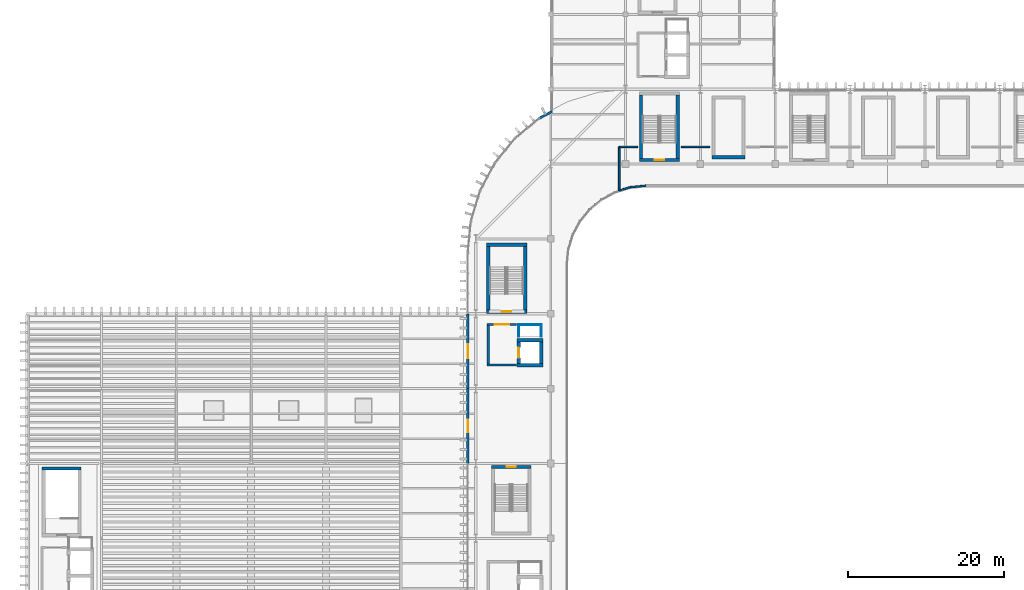
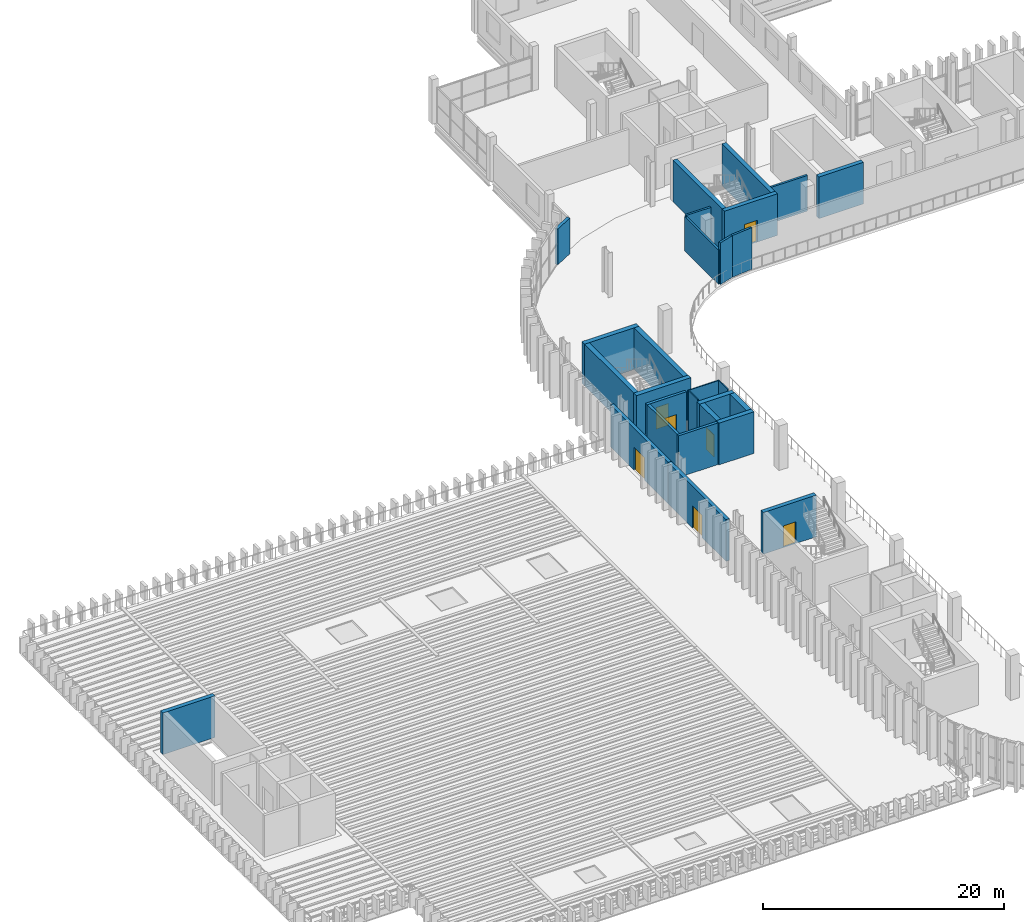
# One storey, part 58 of 92: 28 walls, 7 doors, 7 openings.
"""IFC4 building model written with IfcOpenShell, lengths in metres."""

from ifc_helpers import new_model, si_unit, direction, frame, frame_2d, origin, place, context, subcontext, project, spatial, rectangle, extrude, material, layer, layer_set, type_object, element, fill, save


model = new_model("IFC4")

# Units and contexts
model_context = context("Model", 3, precision=1e-05, world=origin(), true_north=direction((0.0, 1.0)))
body_context = subcontext(model_context, "Body", "Model", "MODEL_VIEW")
ifc_project = project(units=[si_unit("LENGTHUNIT", "METRE"), si_unit("AREAUNIT", "SQUARE_METRE"), si_unit("VOLUMEUNIT", "CUBIC_METRE"), si_unit("PLANEANGLEUNIT", "RADIAN"), si_unit("MASSUNIT", "GRAM", prefix="KILO")], contexts=[model_context])

# Site, building, storey
site_placement = place(None, origin())
site = spatial("IfcSite", under=ifc_project, at=site_placement, CompositionType="ELEMENT")
building_placement = place(site_placement, origin())
building = spatial("IfcBuilding", under=site, at=building_placement, Name="Caelomonte Colonnade Arena", CompositionType="ELEMENT")
storey_placement = place(building_placement, frame((0.0, 0.0, 9.60009765625)))
storey = spatial("IfcBuildingStorey", under=building, at=storey_placement, Name="L02", CompositionType="ELEMENT", Elevation=9.60009765625)

# Wall
ifc_material_1 = material(Name="Precast concrete C40/50", Category="concrete")
ifc_layer_1 = layer(ifc_material_1, 0.2900390625)
ifc_layer_set_1 = layer_set([ifc_layer_1], Name="Precast concrete C40/50")
wall_type_1 = type_object("IfcWallType", Name="ENV-WL-EXT29", PredefinedType="SOLIDWALL", material=ifc_layer_set_1)
wall_1_placement = place(storey_placement, frame((67.390625, 112.343017578125, 0.0), z_axis=(0.0, 0.0, 1.0), x_axis=(-0.881883861215, -0.47146670649, 0.0)))
element("IfcWall", 1, at=wall_1_placement, inside=storey, type_object=wall_type_1, Name="L02 exterior wall EW-L02-0267", PredefinedType="SOLIDWALL", context=body_context, shape_type="SweptSolid", body=[
    extrude(rectangle(XDim=1.903564453125, YDim=0.2900390625, at=frame_2d((0.95166015625, 0.0))), origin(), (0.0, 0.0, 1.0), 3.61279296875),
])

# Wall, opening, door
ifc_layer_2 = layer(ifc_material_1, 0.330078125)
ifc_layer_set_2 = layer_set([ifc_layer_2], Name="Precast concrete C40/50")
wall_type_2 = type_object("IfcWallType", Name="ENV-WL-EXT33", PredefinedType="SOLIDWALL", material=ifc_layer_set_2)
wall_2_placement = place(storey_placement, frame((56.580078125, 86.39990234375, 0.0), z_axis=(0.0, 0.0, 1.0), x_axis=(0.0, -1.0, 0.0)))
wall_2 = element("IfcWall", 2, at=wall_2_placement, inside=storey, type_object=wall_type_2, Name="L02 exterior wall EW-L02-0238", PredefinedType="SOLIDWALL", context=body_context, shape_type="SweptSolid", body=[
    extrude(rectangle(XDim=9.599853515625, YDim=0.330078125, at=frame_2d((4.7998046875, 0.0))), origin(), (0.0, 0.0, 1.0), 4.219970703125),
])
opening_1_placement = place(wall_2_placement, frame((5.699951171875, 0.0, 0.0), z_axis=(0.0, 0.0, 1.0), x_axis=(-1.0, 0.0, 0.0)))
opening_1 = element("IfcOpeningElement", 3, at=opening_1_placement, cuts=wall_2, Name="Opening DT-L02-05", PredefinedType="OPENING", context=body_context, shape_type="SweptSolid", body=[
    extrude(rectangle(XDim=1.800048828125, YDim=2.300048828125, at=frame_2d((0.89990234375, 1.14990234375))), frame((0.0, 0.175048828125, 0.0), z_axis=(0.0, -1.0, 0.0), x_axis=(1.0, 0.0, 0.0)), (0.0, 0.0, 1.0), 0.35009765625),
])
ifc_material_2 = material(Name="Bronze anodised aluminium glazed terrace door", Category="aluminium")
door_type_1 = type_object("IfcDoorType", Name="ENV-DR-TR1", OperationType="DOUBLE_DOOR_SINGLE_SWING", PredefinedType="DOOR", material=ifc_material_2)
door_1_placement = place(opening_1_placement, origin())
door_1 = element("IfcDoor", 4, at=door_1_placement, inside=storey, type_object=door_type_1, Name="L02 Planted Roof Lawn Terrace door DT-L02-05", OperationType="DOUBLE_DOOR_SINGLE_SWING", OverallHeight=2.300048828125, OverallWidth=1.800048828125, PredefinedType="DOOR", context=body_context, shape_type="SweptSolid", body=[
    extrude(rectangle(XDim=1.800048828125, YDim=2.300048828125, at=frame_2d((0.89990234375, 1.14990234375))), frame((0.0, 0.02490234375, 0.0), z_axis=(0.0, -1.0, 0.0), x_axis=(1.0, 0.0, 0.0)), (0.0, 0.0, 1.0), 0.050048828125),
])
fill(opening_1, door_1)

wall_3_placement = place(storey_placement, frame((56.580078125, 76.800048828125, 0.0), z_axis=(0.0, 0.0, 1.0), x_axis=(0.0, -1.0, 0.0)))
wall_3 = element("IfcWall", 5, at=wall_3_placement, inside=storey, type_object=wall_type_2, Name="L02 exterior wall EW-L02-0239", PredefinedType="SOLIDWALL", context=body_context, shape_type="SweptSolid", body=[
    extrude(rectangle(XDim=9.60009765625, YDim=0.330078125, at=frame_2d((4.800048828125, 0.0))), origin(), (0.0, 0.0, 1.0), 4.219970703125),
])
opening_2_placement = place(wall_3_placement, frame((5.60009765625, 0.0, 0.0), z_axis=(0.0, 0.0, 1.0), x_axis=(-1.0, 0.0, 0.0)))
opening_2 = element("IfcOpeningElement", 6, at=opening_2_placement, cuts=wall_3, Name="Opening DT-L02-06", PredefinedType="OPENING", context=body_context, shape_type="SweptSolid", body=[
    extrude(rectangle(XDim=1.60009765625, YDim=2.25, at=frame_2d((0.800048828125, 1.125))), frame((0.0, 0.175048828125, 0.0), z_axis=(0.0, -1.0, 0.0), x_axis=(1.0, 0.0, 0.0)), (0.0, 0.0, 1.0), 0.35009765625),
])
door_type_2 = type_object("IfcDoorType", Name="ENV-DR-TR2", OperationType="DOUBLE_DOOR_SINGLE_SWING", PredefinedType="DOOR", material=ifc_material_2)
door_2_placement = place(opening_2_placement, origin())
door_2 = element("IfcDoor", 7, at=door_2_placement, inside=storey, type_object=door_type_2, Name="L02 Planted Roof Lawn Terrace door DT-L02-06", OperationType="DOUBLE_DOOR_SINGLE_SWING", OverallHeight=2.25, OverallWidth=1.60009765625, PredefinedType="DOOR", context=body_context, shape_type="SweptSolid", body=[
    extrude(rectangle(XDim=1.60009765625, YDim=2.25, at=frame_2d((0.800048828125, 1.125))), frame((0.0, 0.02490234375, 0.0), z_axis=(0.0, -1.0, 0.0), x_axis=(1.0, 0.0, 0.0)), (0.0, 0.0, 1.0), 0.050048828125),
])
fill(opening_2, door_2)

# Wall
ifc_material_3 = material(Name="Concrete C40/50", Category="concrete")
ifc_layer_3 = layer(ifc_material_3, 0.260009765625)
ifc_layer_set_3 = layer_set([ifc_layer_3], Name="Concrete C40/50")
wall_type_3 = type_object("IfcWallType", Name="INT-WL-FW26", PredefinedType="SOLIDWALL", material=ifc_layer_set_3)
wall_4_placement = place(storey_placement, frame((59.070068359375, 79.800048828125, 0.0), z_axis=(0.0, 0.0, 1.0), x_axis=(1.0, 0.0, 0.0)))
element("IfcWall", 8, at=wall_4_placement, inside=storey, type_object=wall_type_3, Name="FW-C4-LB L02 south enclosure wall", PredefinedType="SOLIDWALL", context=body_context, shape_type="SweptSolid", body=[
    extrude(rectangle(XDim=3.760009765625, YDim=0.260009765625, at=frame_2d((1.8798828125, 0.0))), origin(), (0.0, 0.0, 1.0), 4.219970703125),
])

# Wall, opening, door
wall_5_placement = place(storey_placement, frame((62.830078125, 85.0, 0.0), z_axis=(0.0, 0.0, 1.0), x_axis=(-1.0, 0.0, 0.0)))
wall_5 = element("IfcWall", 9, at=wall_5_placement, inside=storey, type_object=wall_type_3, Name="FW-C4-LB L02 north enclosure wall", PredefinedType="SOLIDWALL", context=body_context, shape_type="SweptSolid", body=[
    extrude(rectangle(XDim=3.760009765625, YDim=0.260009765625, at=frame_2d((1.8798828125, 0.0))), origin(), (0.0, 0.0, 1.0), 4.219970703125),
])
opening_3_placement = place(wall_5_placement, frame((2.80517578125, 0.0, 0.0), z_axis=(0.0, 0.0, 1.0), x_axis=(-1.0, 0.0, 0.0)))
opening_3 = element("IfcOpeningElement", 10, at=opening_3_placement, cuts=wall_5, Name="Opening FD-2", PredefinedType="OPENING", context=body_context, shape_type="SweptSolid", body=[
    extrude(rectangle(XDim=1.85009765625, YDim=2.25, at=frame_2d((0.925048828125, 1.125))), frame((0.0, 0.139892578125, 0.0), z_axis=(0.0, -1.0, 0.0), x_axis=(1.0, 0.0, 0.0)), (0.0, 0.0, 1.0), 0.280029296875),
])
ifc_material_4 = material(Name="Fire-rated double steel door", Category="steel")
door_type_3 = type_object("IfcDoorType", Name="INT-DR-FD90B", OperationType="DOUBLE_DOOR_SINGLE_SWING", PredefinedType="DOOR", material=ifc_material_4)
door_3_placement = place(opening_3_placement, origin())
door_3 = element("IfcDoor", 11, at=door_3_placement, inside=storey, type_object=door_type_3, Name="Core C4 L02 lobby fire door", OperationType="DOUBLE_DOOR_SINGLE_SWING", OverallHeight=2.25, OverallWidth=1.85009765625, PredefinedType="DOOR", context=body_context, shape_type="SweptSolid", body=[
    extrude(rectangle(XDim=1.85009765625, YDim=2.25, at=frame_2d((0.925048828125, 1.125))), frame((0.0, 0.02490234375, 0.0), z_axis=(0.0, -1.0, 0.0), x_axis=(1.0, 0.0, 0.0)), (0.0, 0.0, 1.0), 0.050048828125),
])
fill(opening_3, door_3)

# Walls
wall_6_placement = place(storey_placement, frame((59.199951171875, 84.8701171875, 0.0), z_axis=(0.0, 0.0, 1.0), x_axis=(0.0, -1.0, 0.0)))
element("IfcWall", 12, at=wall_6_placement, inside=storey, type_object=wall_type_3, Name="FW-C4-LB L02 west enclosure wall", PredefinedType="SOLIDWALL", context=body_context, shape_type="SweptSolid", body=[
    extrude(rectangle(XDim=4.940185546875, YDim=0.260009765625, at=frame_2d((2.47021484375, 0.0))), origin(), (0.0, 0.0, 1.0), 4.219970703125),
])
ifc_material_5 = material(Name="Service shaft lining partition")
ifc_layer_4 = layer(ifc_material_5, 0.10009765625)
ifc_layer_set_4 = layer_set([ifc_layer_4], Name="Service shaft lining partition")
wall_type_4 = type_object("IfcWallType", Name="INT-WL-PT10", PredefinedType="PARTITIONING", material=ifc_layer_set_4)
wall_7_placement = place(storey_placement, frame((66.050048828125, 85.0, 0.0), z_axis=(0.0, 0.0, 1.0), x_axis=(-1.0, 0.0, 0.0)))
element("IfcWall", 13, at=wall_7_placement, inside=storey, type_object=wall_type_4, Name="FW-C4-RS L02 north enclosure wall", PredefinedType="PARTITIONING", context=body_context, shape_type="SweptSolid", body=[
    extrude(rectangle(XDim=3.0, YDim=0.10009765625, at=frame_2d((1.5, 0.0))), origin(), (0.0, 0.0, 1.0), 4.219970703125),
])
for number, where, z_axis, x_axis, name in (
    (14, (63.10009765625, 84.949951171875, 0.0), (0.0, 0.0, 1.0), (0.0, -1.0, 0.0), "FW-C4-RS L02 west enclosure wall"),
    (15, (66.0, 83.449951171875, 0.0), (0.0, 0.0, 1.0), (0.0, 1.0, 0.0), "FW-C4-RS L02 east enclosure wall"),
):
    element("IfcWall", number, at=place(storey_placement, frame(where, z_axis=z_axis, x_axis=x_axis)), inside=storey, type_object=wall_type_4, Name=name, PredefinedType="PARTITIONING", context=body_context, shape_type="SweptSolid", body=[
        extrude(rectangle(XDim=1.5, YDim=0.10009765625, at=frame_2d((0.75, 0.0))), origin(), (0.0, 0.0, 1.0), 4.219970703125),
    ])
ifc_material_6 = material(Name="Fire-rated gypsum stud partition")
ifc_layer_5 = layer(ifc_material_6, 0.199951171875)
ifc_layer_set_5 = layer_set([ifc_layer_5], Name="Fire-rated gypsum stud partition")
wall_type_5 = type_object("IfcWallType", Name="INT-WL-PT20", PredefinedType="PARTITIONING", material=ifc_layer_set_5)
wall_8_placement = place(storey_placement, frame((77.38525390625, 102.618408203125, 0.0), z_axis=(0.0, 0.0, 1.0), x_axis=(-0.956921766266, -0.290345885534, 0.0)))
element("IfcWall", 16, at=wall_8_placement, inside=storey, type_object=wall_type_5, Name="L02 Club Lounge North partition 159", PredefinedType="PARTITIONING", context=body_context, shape_type="SweptSolid", body=[
    extrude(rectangle(XDim=1.441162109375, YDim=0.199951171875, at=frame_2d((0.720703125, 0.0))), origin(), (0.0, 0.0, 1.0), 4.219970703125),
])
wall_9_placement = place(storey_placement, frame((76.0, 102.199951171875, 0.0), z_axis=(0.0, 0.0, 1.0), x_axis=(0.0, 1.0, 0.0)))
element("IfcWall", 17, at=wall_9_placement, inside=storey, type_object=wall_type_5, Name="L02 Club Lounge North partition 160", PredefinedType="PARTITIONING", context=body_context, shape_type="SweptSolid", body=[
    extrude(rectangle(XDim=5.60009765625, YDim=0.199951171875, at=frame_2d((2.800048828125, 0.0))), origin(), (0.0, 0.0, 1.0), 3.465576171875),
])
wall_10_placement = place(storey_placement, frame((76.0, 107.800048828125, 0.0), z_axis=(0.0, 0.0, 1.0), x_axis=(1.0, 0.0, 0.0)))
element("IfcWall", 18, at=wall_10_placement, inside=storey, type_object=wall_type_5, Name="L02 Club Lounge North partition 161", PredefinedType="PARTITIONING", context=body_context, shape_type="SweptSolid", body=[
    extrude(rectangle(XDim=2.35009765625, YDim=0.199951171875, at=frame_2d((1.175048828125, 0.0))), origin(), (0.0, 0.0, 1.0), 3.61279296875),
])
wall_11_placement = place(storey_placement, frame((83.949951171875, 107.800048828125, 0.0), z_axis=(0.0, 0.0, 1.0), x_axis=(1.0, 0.0, 0.0)))
element("IfcWall", 19, at=wall_11_placement, inside=storey, type_object=wall_type_5, Name="L02 Club Lounge North partition 162", PredefinedType="PARTITIONING", context=body_context, shape_type="SweptSolid", body=[
    extrude(rectangle(XDim=3.670166015625, YDim=0.199951171875, at=frame_2d((1.8349609375, 0.0))), origin(), (0.0, 0.0, 1.0), 3.61279296875),
])
wall_12_placement = place(storey_placement, frame((79.37841796875, 102.81884765625, 0.0), z_axis=(0.0, 0.0, 1.0), x_axis=(-0.995185270943, -0.098011614095, 0.0)))
element("IfcWall", 20, at=wall_12_placement, inside=storey, type_object=wall_type_5, Name="L02 Club Lounge North partition 173", PredefinedType="PARTITIONING", context=body_context, shape_type="SweptSolid", body=[
    extrude(rectangle(XDim=1.96044921875, YDim=0.199951171875, at=frame_2d((0.980224609375, 0.0))), origin(), (0.0, 0.0, 1.0), 4.219970703125),
])
ifc_material_7 = material(Name="Concrete C50/60", Category="concrete")
ifc_layer_6 = layer(ifc_material_7, 0.39990234375)
ifc_layer_set_6 = layer_set([ifc_layer_6], Name="Concrete C50/60")
wall_type_6 = type_object("IfcWallType", Name="INT-WL-SH40", PredefinedType="SHEAR", material=ifc_layer_set_6)
wall_13_placement = place(storey_placement, frame((7.0, 66.550048828125, 0.0), z_axis=(0.0, 0.0, 1.0), x_axis=(-1.0, 0.0, 0.0)))
element("IfcWall", 21, at=wall_13_placement, inside=storey, type_object=wall_type_6, Name="CW-C8-ST L02 north enclosure wall", PredefinedType="SHEAR", context=body_context, shape_type="SweptSolid", body=[
    extrude(rectangle(XDim=5.0, YDim=0.39990234375, at=frame_2d((2.5, 0.0))), origin(), (0.0, 0.0, 1.0), 4.219970703125),
])

# Wall, opening, door
wall_14_placement = place(storey_placement, frame((64.699951171875, 66.75, 0.0), z_axis=(0.0, 0.0, 1.0), x_axis=(-1.0, 0.0, 0.0)))
wall_14 = element("IfcWall", 22, at=wall_14_placement, inside=storey, type_object=wall_type_6, Name="CW-ST-09 L02 north enclosure wall", PredefinedType="SHEAR", context=body_context, shape_type="SweptSolid", body=[
    extrude(rectangle(XDim=5.099853515625, YDim=0.39990234375, at=frame_2d((2.5498046875, 0.0))), origin(), (0.0, 0.0, 1.0), 4.219970703125),
])
opening_4_placement = place(wall_14_placement, frame((3.14990234375, 0.0, 0.0), z_axis=(0.0, 0.0, 1.0), x_axis=(-1.0, 0.0, 0.0)))
opening_4 = element("IfcOpeningElement", 23, at=opening_4_placement, cuts=wall_14, Name="Opening FD-1", PredefinedType="OPENING", context=body_context, shape_type="SweptSolid", body=[
    extrude(rectangle(XDim=1.199951171875, YDim=2.199951171875, at=frame_2d((0.60009765625, 1.10009765625))), frame((0.0, 0.2099609375, 0.0), z_axis=(0.0, -1.0, 0.0), x_axis=(1.0, 0.0, 0.0)), (0.0, 0.0, 1.0), 0.419921875),
])
ifc_material_8 = material(Name="Fire-rated steel door", Category="steel")
door_type_4 = type_object("IfcDoorType", Name="INT-DR-FD90A", OperationType="NOTDEFINED", PredefinedType="DOOR", material=ifc_material_8)
door_4_placement = place(opening_4_placement, origin())
door_4 = element("IfcDoor", 24, at=door_4_placement, inside=storey, type_object=door_type_4, Name="Protected exit stair ST-09 L02 fire door", OperationType="SINGLE_SWING_LEFT", OverallHeight=2.199951171875, OverallWidth=1.199951171875, PredefinedType="DOOR", context=body_context, shape_type="SweptSolid", body=[
    extrude(rectangle(XDim=1.199951171875, YDim=2.199951171875, at=frame_2d((0.60009765625, 1.10009765625))), frame((0.0, 0.02490234375, 0.0), z_axis=(0.0, -1.0, 0.0), x_axis=(1.0, 0.0, 0.0)), (0.0, 0.0, 1.0), 0.050048828125),
])
fill(opening_4, door_4)

wall_15_placement = place(storey_placement, frame((78.60009765625, 106.10009765625, 0.0), z_axis=(0.0, 0.0, 1.0), x_axis=(1.0, 0.0, 0.0)))
wall_15 = element("IfcWall", 25, at=wall_15_placement, inside=storey, type_object=wall_type_6, Name="CW-ST-14 L02 south enclosure wall", PredefinedType="SHEAR", context=body_context, shape_type="SweptSolid", body=[
    extrude(rectangle(XDim=5.099853515625, YDim=0.39990234375, at=frame_2d((2.5498046875, 0.0))), origin(), (0.0, 0.0, 1.0), 4.219970703125),
])
opening_5_placement = place(wall_15_placement, frame((3.14990234375, 0.0, 0.0), z_axis=(0.0, 0.0, 1.0), x_axis=(-1.0, 0.0, 0.0)))
opening_5 = element("IfcOpeningElement", 26, at=opening_5_placement, cuts=wall_15, Name="Opening FD-1", PredefinedType="OPENING", context=body_context, shape_type="SweptSolid", body=[
    extrude(rectangle(XDim=1.199951171875, YDim=2.199951171875, at=frame_2d((0.60009765625, 1.10009765625))), frame((0.0, 0.2099609375, 0.0), z_axis=(0.0, -1.0, 0.0), x_axis=(1.0, 0.0, 0.0)), (0.0, 0.0, 1.0), 0.419921875),
])
door_5_placement = place(opening_5_placement, origin())
door_5 = element("IfcDoor", 27, at=door_5_placement, inside=storey, type_object=door_type_4, Name="Protected exit stair ST-14 L02 fire door", OperationType="SINGLE_SWING_RIGHT", OverallHeight=2.199951171875, OverallWidth=1.199951171875, PredefinedType="DOOR", context=body_context, shape_type="SweptSolid", body=[
    extrude(rectangle(XDim=1.199951171875, YDim=2.199951171875, at=frame_2d((0.60009765625, 1.10009765625))), frame((0.0, 0.02490234375, 0.0), z_axis=(0.0, -1.0, 0.0), x_axis=(1.0, 0.0, 0.0)), (0.0, 0.0, 1.0), 0.050048828125),
])
fill(opening_5, door_5)

# Walls
for number, where, z_axis, x_axis, name in (
    (28, (78.800048828125, 114.449951171875, 0.0), (0.0, 0.0, 1.0), (0.0, -1.0, 0.0), "CW-ST-14 L02 west enclosure wall"),
    (29, (83.5, 106.300048828125, 0.0), (0.0, 0.0, 1.0), (0.0, 1.0, 0.0), "CW-ST-14 L02 east enclosure wall"),
):
    element("IfcWall", number, at=place(storey_placement, frame(where, z_axis=z_axis, x_axis=x_axis)), inside=storey, type_object=wall_type_6, Name=name, PredefinedType="SHEAR", context=body_context, shape_type="SweptSolid", body=[
        extrude(rectangle(XDim=8.14990234375, YDim=0.39990234375, at=frame_2d((4.074951171875, 0.0))), origin(), (0.0, 0.0, 1.0), 4.219970703125),
    ])
wall_16_placement = place(storey_placement, frame((87.8701171875, 106.469970703125, 0.0), z_axis=(0.0, 0.0, 1.0), x_axis=(1.0, 0.0, 0.0)))
element("IfcWall", 30, at=wall_16_placement, inside=storey, type_object=wall_type_6, Name="CW-ST-V13 L02 south enclosure wall", PredefinedType="SHEAR", context=body_context, shape_type="SweptSolid", body=[
    extrude(rectangle(XDim=4.259765625, YDim=0.39990234375, at=frame_2d((2.1298828125, 0.0))), origin(), (0.0, 0.0, 1.0), 4.219970703125),
])

# Wall, opening, door
ifc_layer_7 = layer(ifc_material_7, 0.449951171875)
ifc_layer_set_7 = layer_set([ifc_layer_7], Name="Concrete C50/60")
wall_type_7 = type_object("IfcWallType", Name="INT-WL-SH45", PredefinedType="SHEAR", material=ifc_layer_set_7)
wall_17_placement = place(storey_placement, frame((58.949951171875, 86.675048828125, 0.0), z_axis=(0.0, 0.0, 1.0), x_axis=(1.0, 0.0, 0.0)))
wall_17 = element("IfcWall", 31, at=wall_17_placement, inside=storey, type_object=wall_type_7, Name="CW-C4-ST L02 south enclosure wall", PredefinedType="SHEAR", context=body_context, shape_type="SweptSolid", body=[
    extrude(rectangle(XDim=5.199951171875, YDim=0.449951171875, at=frame_2d((2.60009765625, 0.0))), origin(), (0.0, 0.0, 1.0), 4.219970703125),
])
opening_6_placement = place(wall_17_placement, frame((3.199951171875, 0.0, 0.0), z_axis=(0.0, 0.0, 1.0), x_axis=(-1.0, 0.0, 0.0)))
opening_6 = element("IfcOpeningElement", 32, at=opening_6_placement, cuts=wall_17, Name="Opening FD-1", PredefinedType="OPENING", context=body_context, shape_type="SweptSolid", body=[
    extrude(rectangle(XDim=1.199951171875, YDim=2.199951171875, at=frame_2d((0.60009765625, 1.10009765625))), frame((0.0, 0.23486328125, 0.0), z_axis=(0.0, -1.0, 0.0), x_axis=(1.0, 0.0, 0.0)), (0.0, 0.0, 1.0), 0.469970703125),
])
door_6_placement = place(opening_6_placement, origin())
door_6 = element("IfcDoor", 33, at=door_6_placement, inside=storey, type_object=door_type_4, Name="Core C4 L02 exit stair fire door", OperationType="SINGLE_SWING_RIGHT", OverallHeight=2.199951171875, OverallWidth=1.199951171875, PredefinedType="DOOR", context=body_context, shape_type="SweptSolid", body=[
    extrude(rectangle(XDim=1.199951171875, YDim=2.199951171875, at=frame_2d((0.60009765625, 1.10009765625))), frame((0.0, 0.02490234375, 0.0), z_axis=(0.0, -1.0, 0.0), x_axis=(1.0, 0.0, 0.0)), (0.0, 0.0, 1.0), 0.050048828125),
])
fill(opening_6, door_6)

# Walls
wall_18_placement = place(storey_placement, frame((64.14990234375, 95.27490234375, 0.0), z_axis=(0.0, 0.0, 1.0), x_axis=(-1.0, 0.0, 0.0)))
element("IfcWall", 34, at=wall_18_placement, inside=storey, type_object=wall_type_7, Name="CW-C4-ST L02 north enclosure wall", PredefinedType="SHEAR", context=body_context, shape_type="SweptSolid", body=[
    extrude(rectangle(XDim=5.199951171875, YDim=0.449951171875, at=frame_2d((2.60009765625, 0.0))), origin(), (0.0, 0.0, 1.0), 4.219970703125),
])
for number, where, z_axis, x_axis, name in (
    (35, (59.175048828125, 95.050048828125, 0.0), (0.0, 0.0, 1.0), (0.0, -1.0, 0.0), "CW-C4-ST L02 west enclosure wall"),
    (36, (63.925048828125, 86.89990234375, 0.0), (0.0, 0.0, 1.0), (0.0, 1.0, 0.0), "CW-C4-ST L02 east enclosure wall"),
):
    element("IfcWall", number, at=place(storey_placement, frame(where, z_axis=z_axis, x_axis=x_axis)), inside=storey, type_object=wall_type_7, Name=name, PredefinedType="SHEAR", context=body_context, shape_type="SweptSolid", body=[
        extrude(rectangle(XDim=8.150146484375, YDim=0.449951171875, at=frame_2d((4.0751953125, 0.0))), origin(), (0.0, 0.0, 1.0), 4.219970703125),
    ])
for number, where, z_axis, x_axis, name in (
    (37, (62.875, 79.800048828125, 0.0), (0.0, 0.0, 1.0), (1.0, 0.0, 0.0), "CW-C4-LF L02 south enclosure wall"),
    (38, (66.22509765625, 83.0, 0.0), (0.0, 0.0, 1.0), (-1.0, 0.0, 0.0), "CW-C4-LF L02 north enclosure wall"),
):
    element("IfcWall", number, at=place(storey_placement, frame(where, z_axis=z_axis, x_axis=x_axis)), inside=storey, type_object=wall_type_7, Name=name, PredefinedType="SHEAR", context=body_context, shape_type="SweptSolid", body=[
        extrude(rectangle(XDim=3.35009765625, YDim=0.449951171875, at=frame_2d((1.675048828125, 0.0))), origin(), (0.0, 0.0, 1.0), 4.219970703125),
    ])

# Wall, opening, door
wall_19_placement = place(storey_placement, frame((63.10009765625, 82.77490234375, 0.0), z_axis=(0.0, 0.0, 1.0), x_axis=(0.0, -1.0, 0.0)))
wall_19 = element("IfcWall", 39, at=wall_19_placement, inside=storey, type_object=wall_type_7, Name="CW-C4-LF L02 west enclosure wall", PredefinedType="SHEAR", context=body_context, shape_type="SweptSolid", body=[
    extrude(rectangle(XDim=2.75, YDim=0.449951171875, at=frame_2d((1.375, 0.0))), origin(), (0.0, 0.0, 1.0), 4.219970703125),
])
opening_7_placement = place(wall_19_placement, frame((0.72509765625, 0.0, 0.0), z_axis=(0.0, 0.0, 1.0), x_axis=(1.0, 0.0, 0.0)))
opening_7 = element("IfcOpeningElement", 40, at=opening_7_placement, cuts=wall_19, Name="Opening LD-FL-04-L02", PredefinedType="OPENING", context=body_context, shape_type="SweptSolid", body=[
    extrude(rectangle(XDim=1.300048828125, YDim=2.25, at=frame_2d((0.64990234375, 1.125))), frame((0.0, 0.23486328125, 0.0), z_axis=(0.0, -1.0, 0.0), x_axis=(1.0, 0.0, 0.0)), (0.0, 0.0, 1.0), 0.469970703125),
])
ifc_material_9 = material(Name="Firefighting lift landing door")
door_type_5 = type_object("IfcDoorType", Name="INT-DR-LD2", OperationType="SLIDING_TO_RIGHT", PredefinedType="DOOR", material=ifc_material_9)
door_7_placement = place(opening_7_placement, origin())
door_7 = element("IfcDoor", 41, at=door_7_placement, inside=storey, type_object=door_type_5, Name="Lift FL-04 L02 sliding landing door", OperationType="SLIDING_TO_RIGHT", OverallHeight=2.25, OverallWidth=1.300048828125, PredefinedType="DOOR", context=body_context, shape_type="SweptSolid", body=[
    extrude(rectangle(XDim=1.300048828125, YDim=2.25, at=frame_2d((0.64990234375, 1.125))), frame((0.0, 0.02490234375, 0.0), z_axis=(0.0, -1.0, 0.0), x_axis=(1.0, 0.0, 0.0)), (0.0, 0.0, 1.0), 0.050048828125),
])
fill(opening_7, door_7)

# Wall
wall_20_placement = place(storey_placement, frame((66.0, 80.02490234375, 0.0), z_axis=(0.0, 0.0, 1.0), x_axis=(0.0, 1.0, 0.0)))
element("IfcWall", 42, at=wall_20_placement, inside=storey, type_object=wall_type_7, Name="CW-C4-LF L02 east enclosure wall", PredefinedType="SHEAR", context=body_context, shape_type="SweptSolid", body=[
    extrude(rectangle(XDim=2.75, YDim=0.449951171875, at=frame_2d((1.375, 0.0))), origin(), (0.0, 0.0, 1.0), 4.219970703125),
])

save(model, "model.ifc")
